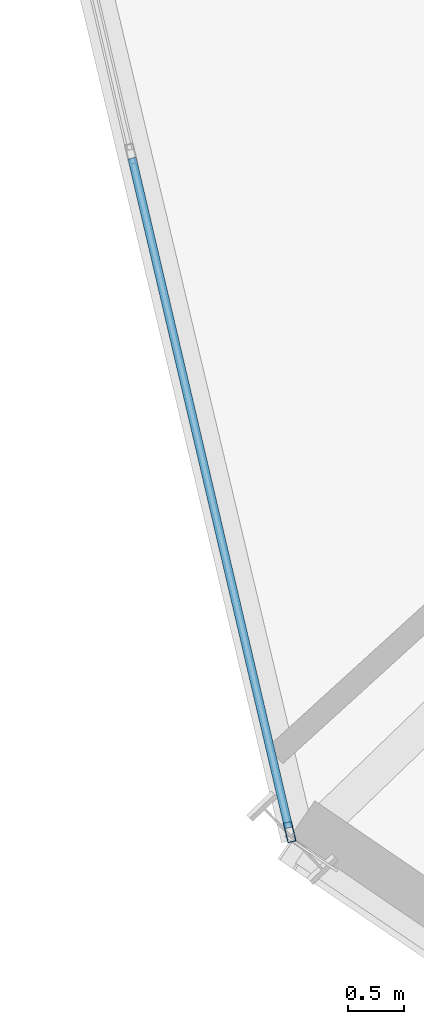
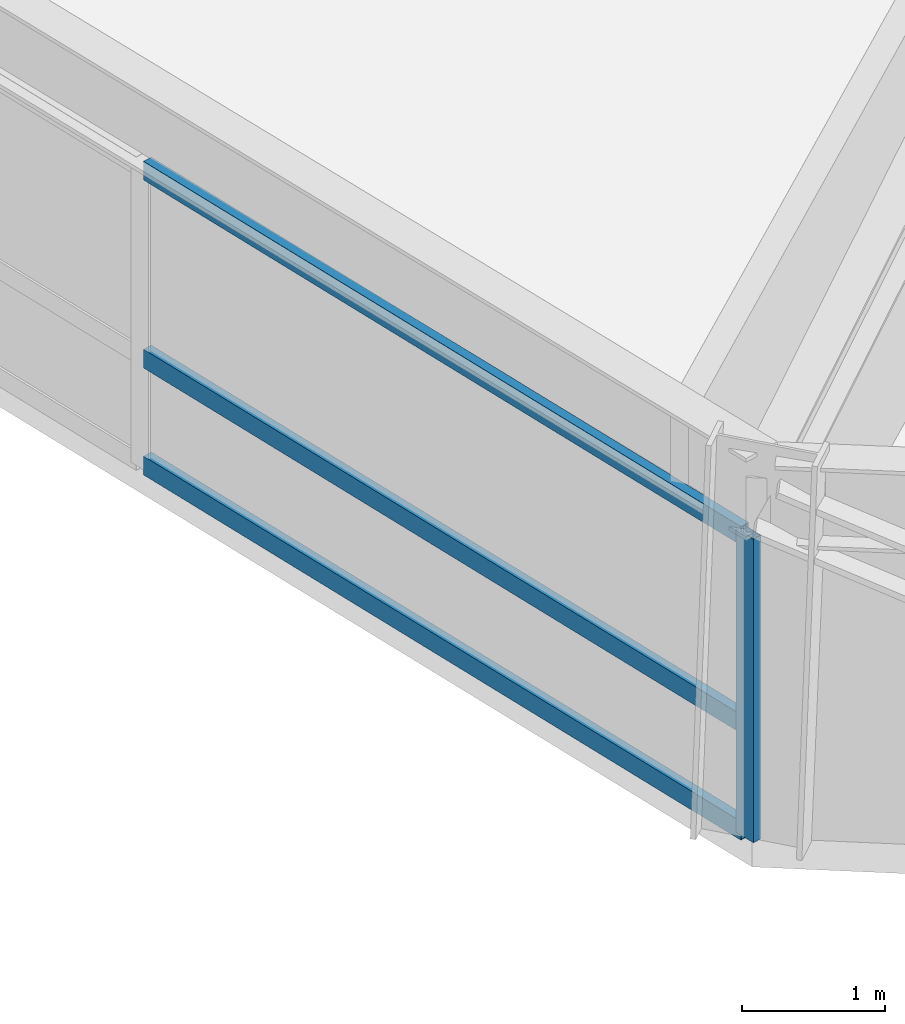
# One storey, part 2 of 24: 4 members, 1 element without a shape of its own.
"""IFC4 building model written with IfcOpenShell, lengths in metres."""

import ifcopenshell
import ifcopenshell.guid

model = None  # the IFC model being written
_history = None  # IfcOwnerHistory: only IFC2X3 demands one
_inside = {}  # id of a spatial element -> (the spatial element, [elements in it])
_under = {}  # id of a project, library or spatial element -> (it, [spatial elements below it])
_declared = {}  # id of a project -> (the project, [libraries it declares])
_typed = {}  # id of a type object -> (the type object, [elements of that type])
_made_of = {}  # id of a material, layer set ... -> (it, [elements and type objects made of it])


def new_model(schema):
    """Start an empty IFC model of exactly this schema.

    Asked for "IFC4X3", IfcOpenShell would pick the latest addendum, in which some entities
    have other attributes; the version numbers below select the first issue.
    IFC2X3 requires an IfcOwnerHistory on every rooted entity: one is made here for all.
    """
    global model, _history
    if schema == "IFC4X3":
        model = ifcopenshell.file(schema_version=(4, 3, 0, 0))
    else:
        model = ifcopenshell.file(schema=schema)
    _inside.clear()
    _under.clear()
    _declared.clear()
    _typed.clear()
    _made_of.clear()
    _history = None
    if model.schema == "IFC2X3":
        org = make("IfcOrganization", Name="unknown")
        user = make(
            "IfcPersonAndOrganization",
            ThePerson=make("IfcPerson", FamilyName="unknown"),
            TheOrganization=org,
        )
        app = make(
            "IfcApplication",
            ApplicationDeveloper=org,
            Version="unknown",
            ApplicationFullName="unknown",
            ApplicationIdentifier="unknown",
        )
        _history = make(
            "IfcOwnerHistory",
            OwningUser=user,
            OwningApplication=app,
            ChangeAction="ADDED",
            CreationDate=0,
        )
    return model


def make(cls, **values):
    """One entity of the class cls with the attributes given. An attribute that is None is left unset."""
    return model.create_entity(
        cls, **{name: value for name, value in values.items() if value is not None}
    )


def rooted(cls, **values):
    """An entity with a GlobalId (a new one), such as an element, a storey or a relation."""
    return make(cls, GlobalId=ifcopenshell.guid.new(), OwnerHistory=_history, **values)


def si_unit(unit_type, name, prefix=None):
    """IfcSIUnit, for example si_unit("LENGTHUNIT", "METRE", prefix="MILLI")."""
    return make("IfcSIUnit", UnitType=unit_type, Prefix=prefix, Name=name)


def assignment(units):
    """IfcUnitAssignment: the units of a project."""
    return None if units is None else make("IfcUnitAssignment", Units=units)


def point(xyz):
    """IfcCartesianPoint."""
    return None if xyz is None else make("IfcCartesianPoint", Coordinates=xyz)


def direction(xyz):
    """IfcDirection."""
    return None if xyz is None else make("IfcDirection", DirectionRatios=xyz)


def frame(location, z_axis=None, x_axis=None):
    """IfcAxis2Placement3D, a coordinate frame: its origin and axes. An axis left out is left unset."""
    return make(
        "IfcAxis2Placement3D",
        Location=point(location),
        Axis=direction(z_axis),
        RefDirection=direction(x_axis),
    )


def frame_2d(location, x_axis=None):
    """IfcAxis2Placement2D, a coordinate frame in the plane: its origin and x axis."""
    return make(
        "IfcAxis2Placement2D", Location=point(location), RefDirection=direction(x_axis)
    )


def origin():
    """The frame at (0, 0, 0) with its axes left unset."""
    return frame((0.0, 0.0, 0.0))


def origin_2d():
    """The frame at (0, 0) in the plane with its x axis left unset."""
    return frame_2d((0.0, 0.0))


def place(relative_to, where):
    """IfcLocalPlacement: puts the frame where relative to a parent placement (None: the world)."""
    return make(
        "IfcLocalPlacement", PlacementRelTo=relative_to, RelativePlacement=where
    )


def context(
    kind, dimensions, precision=None, world=None, true_north=None, identifier=None
):
    """IfcGeometricRepresentationContext, for example the 3D "Model" context."""
    return make(
        "IfcGeometricRepresentationContext",
        ContextIdentifier=identifier,
        ContextType=kind,
        CoordinateSpaceDimension=dimensions,
        Precision=precision,
        WorldCoordinateSystem=world,
        TrueNorth=true_north,
    )


def subcontext(parent, identifier, kind, view, scale=None):
    """IfcGeometricRepresentationSubContext, for example "Body" below "Model"."""
    return make(
        "IfcGeometricRepresentationSubContext",
        ContextIdentifier=identifier,
        ContextType=kind,
        ParentContext=parent,
        TargetScale=scale,
        TargetView=view,
    )


def project(units=None, contexts=None):
    """IfcProject with its units and contexts."""
    return rooted(
        "IfcProject",
        Name="project",
        RepresentationContexts=contexts,
        UnitsInContext=assignment(units),
    )


def spatial(cls, under=None, at=None, **own):
    """A site, building, storey or space (cls), placed at a placement, below another one or the project."""
    s = rooted(cls, ObjectPlacement=at, **own)
    if under is not None:
        _under.setdefault(under.id(), (under, []))[1].append(s)
    return s


def profile(cls, at=None, kind="AREA", **sizes):
    """A parametric profile (cls). Its sizes go by their IFC names, for example OverallWidth=200.0."""
    return make(cls, ProfileType=kind, Position=at, **sizes)


def hollow_rectangle(**sizes):
    """IfcRectangleHollowProfileDef."""
    return profile("IfcRectangleHollowProfileDef", **sizes)


def extrude(swept, where, along, depth):
    """IfcExtrudedAreaSolid: the profile swept, set in the frame where, extruded along a direction by depth."""
    return make(
        "IfcExtrudedAreaSolid",
        SweptArea=swept,
        Position=where,
        ExtrudedDirection=direction(along),
        Depth=depth,
    )


def shape(context_of_items, identifier, shape_type, items):
    """IfcShapeRepresentation: the items that make up one representation, for example the "Body"."""
    return make(
        "IfcShapeRepresentation",
        ContextOfItems=context_of_items,
        RepresentationIdentifier=identifier,
        RepresentationType=shape_type,
        Items=items,
    )


def source(mapping_origin, context_of_items, identifier, shape_type, items):
    """IfcRepresentationMap: a shape defined once, which mapped items show again and again."""
    return make(
        "IfcRepresentationMap",
        MappingOrigin=mapping_origin,
        MappedRepresentation=shape(context_of_items, identifier, shape_type, items),
    )


def transform(
    local_origin,
    x_axis=None,
    y_axis=None,
    z_axis=None,
    scale=None,
    scale2=None,
    scale3=None,
    uniform=True,
):
    """IfcCartesianTransformationOperator3D, or its non-uniform kind. x_axis, y_axis, z_axis: its Axis1, 2, 3."""
    if uniform:
        return make(
            "IfcCartesianTransformationOperator3D",
            Axis1=direction(x_axis),
            Axis2=direction(y_axis),
            LocalOrigin=point(local_origin),
            Scale=scale,
            Axis3=direction(z_axis),
        )
    return make(
        "IfcCartesianTransformationOperator3DnonUniform",
        Axis1=direction(x_axis),
        Axis2=direction(y_axis),
        LocalOrigin=point(local_origin),
        Scale=scale,
        Axis3=direction(z_axis),
        Scale2=scale2,
        Scale3=scale3,
    )


def mapped(mapping_source, mapping_target):
    """IfcMappedItem: shows the shape of a source again, moved by a transform."""
    return make(
        "IfcMappedItem", MappingSource=mapping_source, MappingTarget=mapping_target
    )


def material(Name=None, Category=None):
    """IfcMaterial."""
    return make("IfcMaterial", Name=Name, Category=Category)


def material_profile(
    of_material, cross_section, Name=None, Category=None, Priority=None
):
    """IfcMaterialProfile: a cross section and its material."""
    return make(
        "IfcMaterialProfile",
        Name=Name,
        Material=of_material,
        Profile=cross_section,
        Priority=Priority,
        Category=Category,
    )


def profile_set(profiles, Name=None, composite=None):
    """IfcMaterialProfileSet."""
    return make(
        "IfcMaterialProfileSet",
        Name=Name,
        MaterialProfiles=profiles,
        CompositeProfile=composite,
    )


def made_of(thing, what):
    """Note that an element or type object is made of a material, layer set ...; save() writes the relation."""
    if what is not None:
        _made_of.setdefault(what.id(), (what, []))[1].append(thing)
    return thing


def type_object(cls, material=None, **own):
    """A type object (cls), such as IfcWallType, which elements share."""
    return made_of(rooted(cls, **own), material)


def element(
    cls,
    number,
    at=None,
    inside=None,
    cuts=None,
    type_object=None,
    material=None,
    context=None,
    identifier="Body",
    shape_type=None,
    held_by="IfcProductDefinitionShape",
    body=None,
    shapes=None,
    **own,
):
    """One element of the class cls, such as IfcWall. Its Tag is "e" and its number.

    at: its placement. inside: the storey or other place that contains it. cuts: it is an
    opening in that element (IfcRelVoidsElement). A single representation is given by context,
    identifier, shape_type and body (its items); several are given by shapes. held_by: the class
    of the entity that holds the representations. save() writes the other relations.
    """
    e = rooted(cls, Tag="e%d" % number, ObjectPlacement=at, **own)
    if body is not None:
        shapes = [shape(context, identifier, shape_type, body)]
    if shapes is not None:
        e.Representation = make(held_by, Representations=shapes)
    if inside is not None:
        _inside.setdefault(inside.id(), (inside, []))[1].append(e)
    if cuts is not None:
        rooted(
            "IfcRelVoidsElement", RelatingBuildingElement=cuts, RelatedOpeningElement=e
        )
    if type_object is not None:
        _typed.setdefault(type_object.id(), (type_object, []))[1].append(e)
    return made_of(e, material)


def aggregate(whole, parts):
    """IfcRelAggregates: a whole, such as a stair, and the parts it consists of."""
    return rooted("IfcRelAggregates", RelatingObject=whole, RelatedObjects=parts)


def save(model, path):
    """Write the relations noted so far, then the file.

    IfcRelAggregates (storeys below a building ...), IfcRelContainedInSpatialStructure (elements
    in a storey), IfcRelDefinesByType, IfcRelAssociatesMaterial and IfcRelDeclares: one each for
    every whole, place, type object, material and project.
    """
    for whole, parts in _under.values():
        aggregate(whole, parts)
    for where, things in _inside.values():
        rooted(
            "IfcRelContainedInSpatialStructure",
            RelatedElements=things,
            RelatingStructure=where,
        )
    for kind, things in _typed.values():
        rooted("IfcRelDefinesByType", RelatedObjects=things, RelatingType=kind)
    for what, things in _made_of.values():
        rooted("IfcRelAssociatesMaterial", RelatedObjects=things, RelatingMaterial=what)
    for by, libraries in _declared.values():
        rooted("IfcRelDeclares", RelatingContext=by, RelatedDefinitions=libraries)
    model.write(path)


model = new_model("IFC4")

# Units and contexts
model_context = context("Model", 3, precision=1e-05, world=origin(), true_north=direction((0.0, 1.0)))
body_context = subcontext(model_context, "Body", "Model", "MODEL_VIEW")
ifc_project = project(units=[si_unit("LENGTHUNIT", "METRE"), si_unit("AREAUNIT", "SQUARE_METRE"), si_unit("VOLUMEUNIT", "CUBIC_METRE"), si_unit("PLANEANGLEUNIT", "RADIAN"), si_unit("MASSUNIT", "GRAM", prefix="KILO")], contexts=[model_context])

# Site, building, storey
site_placement = place(None, origin())
site = spatial("IfcSite", under=ifc_project, at=site_placement, CompositionType="ELEMENT")
building_placement = place(site_placement, origin())
building = spatial("IfcBuilding", under=site, at=building_placement, Name="Olszyna Solenne Hotel", CompositionType="ELEMENT")
storey_placement = place(building_placement, frame((0.0, 0.0, 36.39990234375)))
storey = spatial("IfcBuildingStorey", under=building, at=storey_placement, Name="L08", CompositionType="ELEMENT", Elevation=36.39990234375)

# Curtain wall, members
ifc_material = material(Name="Anodised bronze aluminium", Category="aluminium")
curtain_wall_type = type_object("IfcCurtainWallType", Name="CW-SYS-2", PredefinedType="NOTDEFINED", material=ifc_material)
curtain_wall_placement = place(storey_placement, origin())
curtain_wall = element("IfcCurtainWall", 1, at=curtain_wall_placement, inside=storey, type_object=curtain_wall_type, Name="Unitised curtain wall CW-SYS-2 CW-L08-01", PredefinedType="NOTDEFINED")
ifc_material_profile_1 = material_profile(ifc_material, hollow_rectangle(XDim=0.074951171875, YDim=0.179931640625, WallThickness=0.00439453125, at=origin_2d()), Name="MULL 180x75x4.5", Category="load-bearing")
ifc_profile_set_1 = profile_set([ifc_material_profile_1], Name="Anodised bronze aluminium")
member_type_1 = type_object("IfcMemberType", Name="CW-M2", PredefinedType="MULLION", material=ifc_profile_set_1)
shared_shape_1 = source(origin(), body_context, "Body", "SweptSolid", [
    extrude(hollow_rectangle(XDim=0.074951171875, YDim=0.179931640625, WallThickness=0.00439453125, at=origin_2d()), origin(), (0.0, 0.0, 1.0), 2.592041015625),
])
member_1_placement = place(storey_placement, frame((19.197265625, 8.702392578125, 0.0), z_axis=(0.0, 0.0, 1.0), x_axis=(0.973710390172, 0.227789543376, 0.0)))
member_1 = element("IfcMember", 2, at=member_1_placement, type_object=member_type_1, Name="Curtain-wall mullion CW-M2 CM-L08-01-04", PredefinedType="MULLION", context=body_context, shape_type="MappedRepresentation", body=[
    mapped(shared_shape_1, transform((0.0, 0.0, 0.0), x_axis=(1.0, 0.0, 0.0), y_axis=(0.0, 1.0, 0.0), z_axis=(0.0, 0.0, 1.0), scale=1.0)),
])
ifc_material_profile_2 = material_profile(ifc_material, hollow_rectangle(XDim=0.074951171875, YDim=0.159912109375, WallThickness=0.00390625, at=origin_2d()), Name="TRAN 160x75x4", Category="load-bearing")
ifc_profile_set_2 = profile_set([ifc_material_profile_2], Name="Anodised bronze aluminium")
member_type_2 = type_object("IfcMemberType", Name="CW-T1", PredefinedType="USERDEFINED", material=ifc_profile_set_2)
shared_shape_2 = source(origin(), body_context, "Body", "SweptSolid", [
    extrude(hollow_rectangle(XDim=0.074951171875, YDim=0.159912109375, WallThickness=0.00390625, at=origin_2d()), origin(), (0.0, 0.0, 1.0), 6.10693359375),
])
member_2_placement = place(storey_placement, frame((17.797607421875, 14.68505859375, 0.03759765625), z_axis=(0.227795759448, -0.973708935965, 0.0), x_axis=(0.973708935965, 0.227795759448, 0.0)))
member_2 = element("IfcMember", 3, at=member_2_placement, type_object=member_type_2, Name="Curtain-wall transom CW-T1 CT-L08-01-07", ObjectType="TRANSOM", PredefinedType="USERDEFINED", context=body_context, shape_type="MappedRepresentation", body=[
    mapped(shared_shape_2, transform((0.0, 0.0, 0.0), x_axis=(1.0, 0.0, 0.0), y_axis=(0.0, 1.0, 0.0), z_axis=(0.0, 0.0, 1.0), scale=1.0)),
])
member_3_placement = place(storey_placement, frame((17.797607421875, 14.68505859375, 0.9501953125), z_axis=(0.227795759448, -0.973708935965, 0.0), x_axis=(0.973708935965, 0.227795759448, 0.0)))
member_3 = element("IfcMember", 4, at=member_3_placement, type_object=member_type_2, Name="Curtain-wall transom CW-T1 CT-L08-01-08", ObjectType="TRANSOM", PredefinedType="USERDEFINED", context=body_context, shape_type="MappedRepresentation", body=[
    mapped(shared_shape_2, transform((0.0, 0.0, 0.0), x_axis=(1.0, 0.0, 0.0), y_axis=(0.0, 1.0, 0.0), z_axis=(0.0, 0.0, 1.0), scale=1.0)),
])
member_4_placement = place(storey_placement, frame((17.797607421875, 14.68505859375, 2.5546875), z_axis=(0.227795759448, -0.973708935965, 0.0), x_axis=(0.973708935965, 0.227795759448, 0.0)))
member_4 = element("IfcMember", 5, at=member_4_placement, type_object=member_type_2, Name="Curtain-wall transom CW-T1 CT-L08-01-09", ObjectType="TRANSOM", PredefinedType="USERDEFINED", context=body_context, shape_type="MappedRepresentation", body=[
    mapped(shared_shape_2, transform((0.0, 0.0, 0.0), x_axis=(1.0, 0.0, 0.0), y_axis=(0.0, 1.0, 0.0), z_axis=(0.0, 0.0, 1.0), scale=1.0)),
])
aggregate(curtain_wall, [member_1, member_2, member_3, member_4])

save(model, "model.ifc")
